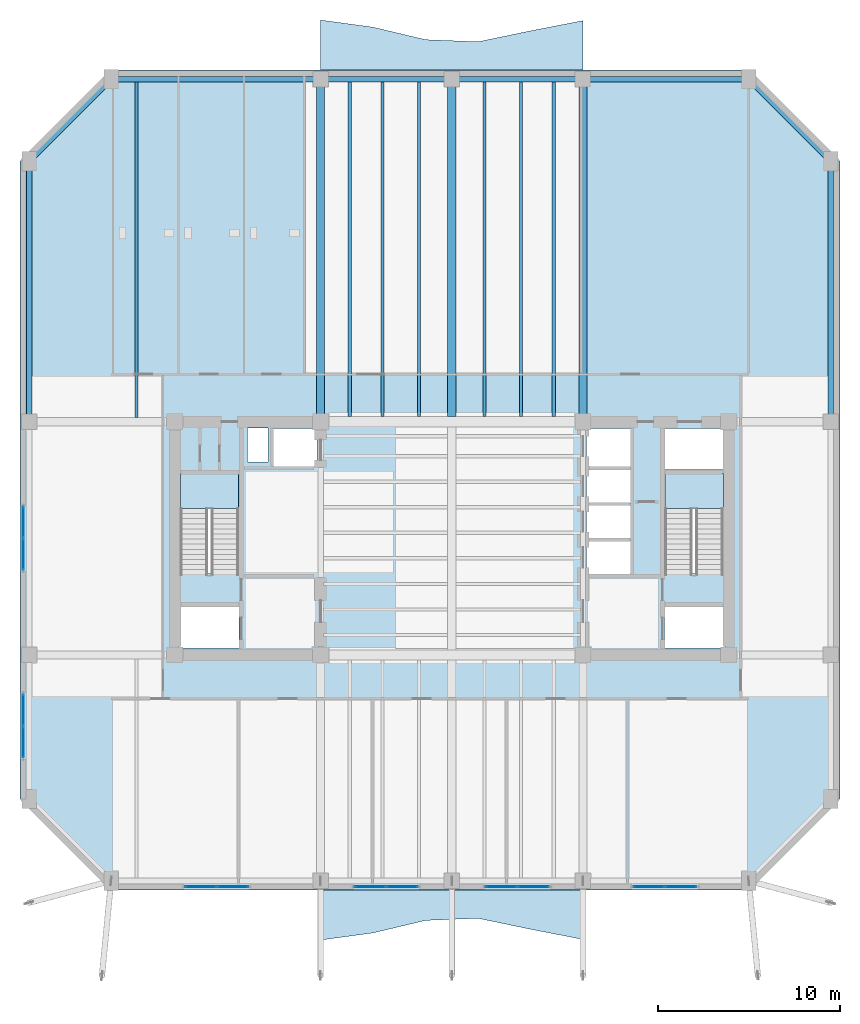
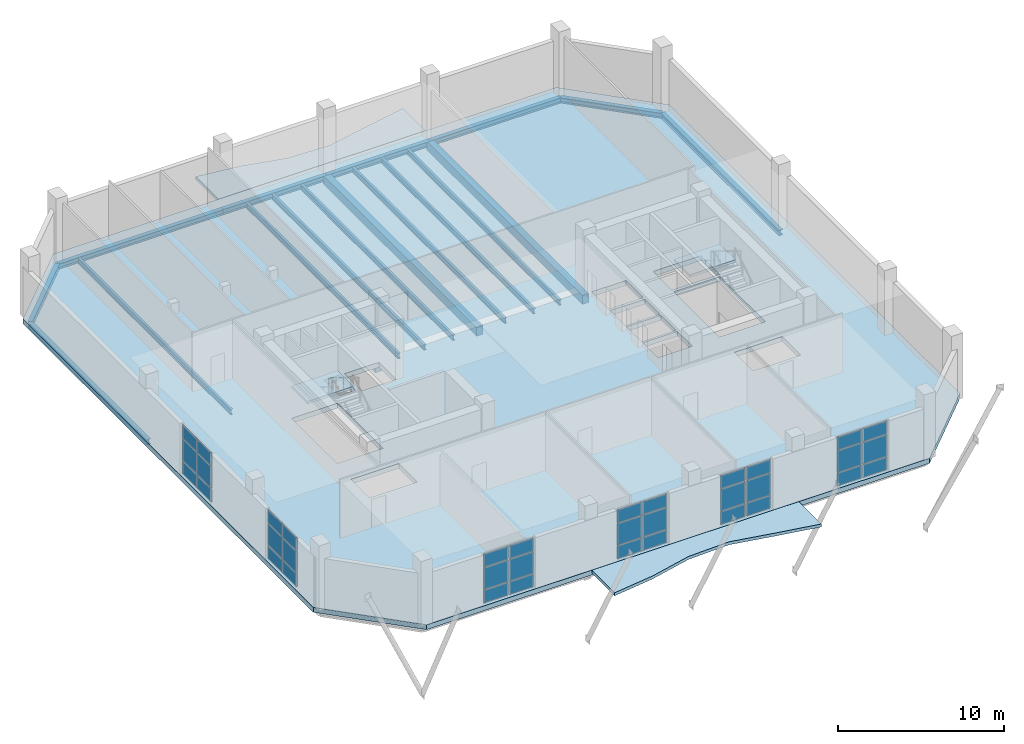
# One storey, part 5 of 15: 36 plates, 18 beams, 5 slabs, 8 elements without a shape of their own.
"""IFC4 building model written with IfcOpenShell, lengths in metres."""

from ifc_helpers import new_model, si_unit, direction, frame, origin, origin_2d, place, context, subcontext, project, spatial, polyline, rectangle, i_section, outline, extrude, material, layer, layer_set, material_profile, profile_set, type_object, element, aggregate, save


model = new_model("IFC4")

# Units and contexts
model_context = context("Model", 3, precision=1e-05, world=origin(), true_north=direction((0.0, 1.0)))
body_context = subcontext(model_context, "Body", "Model", "MODEL_VIEW")
ifc_project = project(units=[si_unit("LENGTHUNIT", "METRE"), si_unit("AREAUNIT", "SQUARE_METRE"), si_unit("VOLUMEUNIT", "CUBIC_METRE"), si_unit("PLANEANGLEUNIT", "RADIAN"), si_unit("MASSUNIT", "GRAM", prefix="KILO")], contexts=[model_context])

# Site, building, storey
site_placement = place(None, origin())
site = spatial("IfcSite", under=ifc_project, at=site_placement, CompositionType="ELEMENT")
building_placement = place(site_placement, origin())
building = spatial("IfcBuilding", under=site, at=building_placement, Name="Kranthara Brick Stack", CompositionType="ELEMENT")
storey_placement = place(building_placement, frame((0.0, 0.0, 202.699951171875)))
storey = spatial("IfcBuildingStorey", under=building, at=storey_placement, Name="L52", CompositionType="ELEMENT", Elevation=202.699951171875)

# Beams
ifc_material_1 = material(Name="Post-tensioned concrete C45/55", Category="concrete")
ifc_material_profile_1 = material_profile(ifc_material_1, rectangle(XDim=0.449951171875, YDim=0.64990234375, at=origin_2d()), Name="PT 450x650")
ifc_profile_set_1 = profile_set([ifc_material_profile_1], Name="Post-tensioned concrete C45/55")
beam_type_1 = type_object("IfcBeamType", Name="BM-FLR-PT650", PredefinedType="BEAM", material=ifc_profile_set_1)
beam_1_placement = place(storey_placement, frame((20.800048828125, 33.60009765625, -0.68505859375), z_axis=(0.0, 1.0, 0.0), x_axis=(-1.0, 0.0, 0.0)))
element("IfcBeam", 1, at=beam_1_placement, inside=storey, type_object=beam_type_1, Name="L52 Primary Grid Girder 024", PredefinedType="BEAM", context=body_context, shape_type="SweptSolid", body=[
    extrude(rectangle(XDim=0.449951171875, YDim=0.64990234375, at=origin_2d()), origin(), (0.0, 0.0, 1.0), 18.7998046875),
])
beam_2_placement = place(storey_placement, frame((28.0, 33.875, -0.68505859375), z_axis=(0.0, 1.0, 0.0), x_axis=(-1.0, 0.0, 0.0)))
element("IfcBeam", 2, at=beam_2_placement, inside=storey, type_object=beam_type_1, Name="L52 Primary Grid Girder 027", PredefinedType="BEAM", context=body_context, shape_type="SweptSolid", body=[
    extrude(rectangle(XDim=0.449951171875, YDim=0.64990234375, at=origin_2d()), origin(), (0.0, 0.0, 1.0), 18.52490234375),
])
beam_3_placement = place(storey_placement, frame((35.199951171875, 33.60009765625, -0.68505859375), z_axis=(0.0, 1.0, 0.0), x_axis=(-1.0, 0.0, 0.0)))
element("IfcBeam", 3, at=beam_3_placement, inside=storey, type_object=beam_type_1, Name="L52 Primary Grid Girder 029", PredefinedType="BEAM", context=body_context, shape_type="SweptSolid", body=[
    extrude(rectangle(XDim=0.449951171875, YDim=0.64990234375, at=origin_2d()), origin(), (0.0, 0.0, 1.0), 18.7998046875),
])
ifc_material_2 = material(Name="Steel S355", Category="steel")
ifc_material_profile_2 = material_profile(ifc_material_2, i_section(OverallWidth=0.179931640625, OverallDepth=0.39990234375, WebThickness=0.008544921875, FlangeThickness=0.013427734375, at=origin_2d()), Name="IPE 400")
ifc_profile_set_2 = profile_set([ifc_material_profile_2], Name="Steel S355")
beam_type_2 = type_object("IfcBeamType", Name="BM-JST-IPE400", PredefinedType="JOIST", material=ifc_profile_set_2)
beam_4_placement = place(storey_placement, frame((10.699951171875, 33.824951171875, -0.56005859375), z_axis=(0.0, 1.0, 0.0), x_axis=(-1.0, 0.0, 0.0)))
element("IfcBeam", 4, at=beam_4_placement, inside=storey, type_object=beam_type_2, Name="L52 North Wing Floor Joist 053", PredefinedType="JOIST", context=body_context, shape_type="SweptSolid", body=[
    extrude(i_section(OverallWidth=0.179931640625, OverallDepth=0.39990234375, WebThickness=0.008544921875, FlangeThickness=0.013427734375, at=origin_2d()), origin(), (0.0, 0.0, 1.0), 18.425048828125),
])
for number, where, z_axis, x_axis, name in (
    (5, (22.39990234375, 33.875, -0.56005859375), (0.0, 1.0, 0.0), (-1.0, 0.0, 0.0), "L52 North Wing Floor Joist 055"),
    (6, (24.199951171875, 33.875, -0.56005859375), (0.0, 1.0, 0.0), (-1.0, 0.0, 0.0), "L52 North Wing Floor Joist 057"),
    (7, (26.199951171875, 33.875, -0.56005859375), (0.0, 1.0, 0.0), (-1.0, 0.0, 0.0), "L52 North Wing Floor Joist 059"),
    (8, (29.800048828125, 33.875, -0.56005859375), (0.0, 1.0, 0.0), (-1.0, 0.0, 0.0), "L52 North Wing Floor Joist 061"),
    (9, (31.800048828125, 33.875, -0.56005859375), (0.0, 1.0, 0.0), (-1.0, 0.0, 0.0), "L52 North Wing Floor Joist 063"),
    (10, (33.60009765625, 33.875, -0.56005859375), (0.0, 1.0, 0.0), (-1.0, 0.0, 0.0), "L52 North Wing Floor Joist 065"),
):
    element("IfcBeam", number, at=place(storey_placement, frame(where, z_axis=z_axis, x_axis=x_axis)), inside=storey, type_object=beam_type_2, Name=name, PredefinedType="JOIST", context=body_context, shape_type="SweptSolid", body=[
        extrude(i_section(OverallWidth=0.179931640625, OverallDepth=0.39990234375, WebThickness=0.008544921875, FlangeThickness=0.013427734375, at=origin_2d()), origin(), (0.0, 0.0, 1.0), 18.375),
    ])
ifc_material_3 = material(Name="Steel S355", Category="steel")
ifc_material_profile_3 = material_profile(ifc_material_3, i_section(OverallWidth=0.300048828125, OverallDepth=0.39990234375, WebThickness=0.013427734375, FlangeThickness=0.02392578125, at=origin_2d()), Name="HEB 400")
ifc_profile_set_3 = profile_set([ifc_material_profile_3], Name="Steel S355")
beam_type_3 = type_object("IfcBeamType", Name="BM-STL-HEB400", PredefinedType="SPANDREL", material=ifc_profile_set_3)
beam_5_placement = place(storey_placement, frame((9.300048828125, 52.39990234375, -0.56005859375), z_axis=(1.0, 0.0, 0.0), x_axis=(0.0, 1.0, 0.0)))
element("IfcBeam", 11, at=beam_5_placement, inside=storey, type_object=beam_type_3, Name="L52 Perimeter Spandrel Beam 009", PredefinedType="SPANDREL", context=body_context, shape_type="SweptSolid", body=[
    extrude(i_section(OverallWidth=0.300048828125, OverallDepth=0.39990234375, WebThickness=0.013427734375, FlangeThickness=0.02392578125, at=origin_2d()), origin(), (0.0, 0.0, 1.0), 11.5),
])
for number, where, z_axis, x_axis, name in (
    (12, (20.800048828125, 52.39990234375, -0.56005859375), (1.0, 0.0, 0.0), (0.0, 1.0, 0.0), "L52 Perimeter Spandrel Beam 010"),
    (13, (28.0, 52.39990234375, -0.56005859375), (1.0, 0.0, 0.0), (0.0, 1.0, 0.0), "L52 Perimeter Spandrel Beam 011"),
):
    element("IfcBeam", number, at=place(storey_placement, frame(where, z_axis=z_axis, x_axis=x_axis)), inside=storey, type_object=beam_type_3, Name=name, PredefinedType="SPANDREL", context=body_context, shape_type="SweptSolid", body=[
        extrude(i_section(OverallWidth=0.300048828125, OverallDepth=0.39990234375, WebThickness=0.013427734375, FlangeThickness=0.02392578125, at=origin_2d()), origin(), (0.0, 0.0, 1.0), 7.199951171875),
    ])
beam_6_placement = place(storey_placement, frame((35.199951171875, 52.39990234375, -0.56005859375), z_axis=(1.0, 0.0, 0.0), x_axis=(0.0, 1.0, 0.0)))
element("IfcBeam", 14, at=beam_6_placement, inside=storey, type_object=beam_type_3, Name="L52 Perimeter Spandrel Beam 012", PredefinedType="SPANDREL", context=body_context, shape_type="SweptSolid", body=[
    extrude(i_section(OverallWidth=0.300048828125, OverallDepth=0.39990234375, WebThickness=0.013427734375, FlangeThickness=0.02392578125, at=origin_2d()), origin(), (0.0, 0.0, 1.0), 9.10009765625),
])
for number, where, z_axis, x_axis, name in (
    (15, (4.800048828125, 33.60009765625, -0.56005859375), (0.0, 1.0, 0.0), (-1.0, 0.0, 0.0), "L52 Perimeter Spandrel Beam 015"),
    (16, (48.800048828125, 33.60009765625, -0.56005859375), (0.0, 1.0, 0.0), (-1.0, 0.0, 0.0), "L52 Perimeter Spandrel Beam 018"),
):
    element("IfcBeam", number, at=place(storey_placement, frame(where, z_axis=z_axis, x_axis=x_axis)), inside=storey, type_object=beam_type_3, Name=name, PredefinedType="SPANDREL", context=body_context, shape_type="SweptSolid", body=[
        extrude(i_section(OverallWidth=0.300048828125, OverallDepth=0.39990234375, WebThickness=0.013427734375, FlangeThickness=0.02392578125, at=origin_2d()), origin(), (0.0, 0.0, 1.0), 14.2998046875),
    ])
for number, where, z_axis, x_axis, name in (
    (17, (9.300048828125, 52.39990234375, -0.56005859375), (-0.707106781187, -0.707106781187, 0.0), (0.707106781187, -0.707106781187, 0.0), "L52 Chamfer Corner Spandrel 021"),
    (18, (44.300048828125, 52.39990234375, -0.56005859375), (0.707106781187, -0.707106781187, 0.0), (0.707106781187, 0.707106781187, 0.0), "L52 Chamfer Corner Spandrel 022"),
):
    element("IfcBeam", number, at=place(storey_placement, frame(where, z_axis=z_axis, x_axis=x_axis)), inside=storey, type_object=beam_type_3, Name=name, PredefinedType="SPANDREL", context=body_context, shape_type="SweptSolid", body=[
        extrude(i_section(OverallWidth=0.300048828125, OverallDepth=0.39990234375, WebThickness=0.013427734375, FlangeThickness=0.02392578125, at=origin_2d()), origin(), (0.0, 0.0, 1.0), 6.364013671875),
    ])

# Curtain wall, plates
ifc_material_4 = material(Name="Bronze anodised aluminium and low-E glass", Category="aluminium")
ifc_layer_1 = layer(ifc_material_4, 0.199951171875)
ifc_layer_set_1 = layer_set([ifc_layer_1], Name="Bronze anodised aluminium and low-E glass")
curtain_wall_type = type_object("IfcCurtainWallType", Name="CW-SYS4-SKYLOBBY2", PredefinedType="USERDEFINED", material=ifc_layer_set_1)
curtain_wall_1_placement = place(storey_placement, origin())
curtain_wall_1 = element("IfcCurtainWall", 19, at=curtain_wall_1_placement, inside=storey, type_object=curtain_wall_type, Name="L52 Curtain Wall CW4-L52-01", ObjectType="UNITISED CURTAIN WALL", PredefinedType="USERDEFINED")
ifc_material_5 = material(Name="Triple-laminated acoustic low-E glass", Category="glass")
ifc_layer_2 = layer(ifc_material_5, 0.035888671875)
ifc_layer_set_2 = layer_set([ifc_layer_2], Name="Triple-laminated acoustic low-E glass")
plate_type = type_object("IfcPlateType", Name="CWP-GLZ-36", PredefinedType="CURTAIN_PANEL", material=ifc_layer_set_2)
plate_1_placement = place(storey_placement, frame((40.581298828125, 8.080078125, 0.0751953125), z_axis=(0.0, 0.0, 1.0), x_axis=(-1.0, 0.0, 0.0)))
plate_1 = element("IfcPlate", 20, at=plate_1_placement, type_object=plate_type, Name="CW panel 1.1", PredefinedType="CURTAIN_PANEL", context=body_context, shape_type="SweptSolid", body=[
    extrude(rectangle(XDim=1.6875, YDim=0.035888671875, at=origin_2d()), origin(), (0.0, 0.0, 1.0), 0.933349609375),
])
plate_2_placement = place(storey_placement, frame((40.581298828125, 8.080078125, 1.083251953125), z_axis=(0.0, 0.0, 1.0), x_axis=(-1.0, 0.0, 0.0)))
plate_2 = element("IfcPlate", 21, at=plate_2_placement, type_object=plate_type, Name="CW panel 1.2", PredefinedType="CURTAIN_PANEL", context=body_context, shape_type="SweptSolid", body=[
    extrude(rectangle(XDim=1.6875, YDim=0.035888671875, at=origin_2d()), origin(), (0.0, 0.0, 1.0), 1.568359375),
])
plate_3_placement = place(storey_placement, frame((40.581298828125, 8.080078125, 2.7265625), z_axis=(0.0, 0.0, 1.0), x_axis=(-1.0, 0.0, 0.0)))
plate_3 = element("IfcPlate", 22, at=plate_3_placement, type_object=plate_type, Name="CW panel 1.3", PredefinedType="CURTAIN_PANEL", context=body_context, shape_type="SweptSolid", body=[
    extrude(rectangle(XDim=1.6875, YDim=0.035888671875, at=origin_2d()), origin(), (0.0, 0.0, 1.0), 0.933349609375),
])
plate_4_placement = place(storey_placement, frame((38.81884765625, 8.080078125, 0.0751953125), z_axis=(0.0, 0.0, 1.0), x_axis=(-1.0, 0.0, 0.0)))
plate_4 = element("IfcPlate", 23, at=plate_4_placement, type_object=plate_type, Name="CW panel 2.1", PredefinedType="CURTAIN_PANEL", context=body_context, shape_type="SweptSolid", body=[
    extrude(rectangle(XDim=1.6875, YDim=0.035888671875, at=origin_2d()), origin(), (0.0, 0.0, 1.0), 0.933349609375),
])
plate_5_placement = place(storey_placement, frame((38.81884765625, 8.080078125, 1.083251953125), z_axis=(0.0, 0.0, 1.0), x_axis=(-1.0, 0.0, 0.0)))
plate_5 = element("IfcPlate", 24, at=plate_5_placement, type_object=plate_type, Name="CW panel 2.2", PredefinedType="CURTAIN_PANEL", context=body_context, shape_type="SweptSolid", body=[
    extrude(rectangle(XDim=1.6875, YDim=0.035888671875, at=origin_2d()), origin(), (0.0, 0.0, 1.0), 1.568359375),
])
plate_6_placement = place(storey_placement, frame((38.81884765625, 8.080078125, 2.7265625), z_axis=(0.0, 0.0, 1.0), x_axis=(-1.0, 0.0, 0.0)))
plate_6 = element("IfcPlate", 25, at=plate_6_placement, type_object=plate_type, Name="CW panel 2.3", PredefinedType="CURTAIN_PANEL", context=body_context, shape_type="SweptSolid", body=[
    extrude(rectangle(XDim=1.6875, YDim=0.035888671875, at=origin_2d()), origin(), (0.0, 0.0, 1.0), 0.933349609375),
])
aggregate(curtain_wall_1, [plate_1, plate_2, plate_3, plate_4, plate_5, plate_6])

curtain_wall_2_placement = place(storey_placement, origin())
curtain_wall_2 = element("IfcCurtainWall", 26, at=curtain_wall_2_placement, inside=storey, type_object=curtain_wall_type, Name="L52 Curtain Wall CW4-L52-02", ObjectType="UNITISED CURTAIN WALL", PredefinedType="USERDEFINED")
plate_7_placement = place(storey_placement, frame((32.481201171875, 8.080078125, 0.0751953125), z_axis=(0.0, 0.0, 1.0), x_axis=(-1.0, 0.0, 0.0)))
plate_7 = element("IfcPlate", 27, at=plate_7_placement, type_object=plate_type, Name="CW panel 1.1", PredefinedType="CURTAIN_PANEL", context=body_context, shape_type="SweptSolid", body=[
    extrude(rectangle(XDim=1.6875, YDim=0.035888671875, at=origin_2d()), origin(), (0.0, 0.0, 1.0), 0.933349609375),
])
plate_8_placement = place(storey_placement, frame((32.481201171875, 8.080078125, 1.083251953125), z_axis=(0.0, 0.0, 1.0), x_axis=(-1.0, 0.0, 0.0)))
plate_8 = element("IfcPlate", 28, at=plate_8_placement, type_object=plate_type, Name="CW panel 1.2", PredefinedType="CURTAIN_PANEL", context=body_context, shape_type="SweptSolid", body=[
    extrude(rectangle(XDim=1.6875, YDim=0.035888671875, at=origin_2d()), origin(), (0.0, 0.0, 1.0), 1.568359375),
])
plate_9_placement = place(storey_placement, frame((32.481201171875, 8.080078125, 2.7265625), z_axis=(0.0, 0.0, 1.0), x_axis=(-1.0, 0.0, 0.0)))
plate_9 = element("IfcPlate", 29, at=plate_9_placement, type_object=plate_type, Name="CW panel 1.3", PredefinedType="CURTAIN_PANEL", context=body_context, shape_type="SweptSolid", body=[
    extrude(rectangle(XDim=1.6875, YDim=0.035888671875, at=origin_2d()), origin(), (0.0, 0.0, 1.0), 0.933349609375),
])
plate_10_placement = place(storey_placement, frame((30.71875, 8.080078125, 0.0751953125), z_axis=(0.0, 0.0, 1.0), x_axis=(-1.0, 0.0, 0.0)))
plate_10 = element("IfcPlate", 30, at=plate_10_placement, type_object=plate_type, Name="CW panel 2.1", PredefinedType="CURTAIN_PANEL", context=body_context, shape_type="SweptSolid", body=[
    extrude(rectangle(XDim=1.6875, YDim=0.035888671875, at=origin_2d()), origin(), (0.0, 0.0, 1.0), 0.933349609375),
])
plate_11_placement = place(storey_placement, frame((30.71875, 8.080078125, 1.083251953125), z_axis=(0.0, 0.0, 1.0), x_axis=(-1.0, 0.0, 0.0)))
plate_11 = element("IfcPlate", 31, at=plate_11_placement, type_object=plate_type, Name="CW panel 2.2", PredefinedType="CURTAIN_PANEL", context=body_context, shape_type="SweptSolid", body=[
    extrude(rectangle(XDim=1.6875, YDim=0.035888671875, at=origin_2d()), origin(), (0.0, 0.0, 1.0), 1.568359375),
])
plate_12_placement = place(storey_placement, frame((30.71875, 8.080078125, 2.7265625), z_axis=(0.0, 0.0, 1.0), x_axis=(-1.0, 0.0, 0.0)))
plate_12 = element("IfcPlate", 32, at=plate_12_placement, type_object=plate_type, Name="CW panel 2.3", PredefinedType="CURTAIN_PANEL", context=body_context, shape_type="SweptSolid", body=[
    extrude(rectangle(XDim=1.6875, YDim=0.035888671875, at=origin_2d()), origin(), (0.0, 0.0, 1.0), 0.933349609375),
])
aggregate(curtain_wall_2, [plate_7, plate_8, plate_9, plate_10, plate_11, plate_12])

curtain_wall_3_placement = place(storey_placement, origin())
curtain_wall_3 = element("IfcCurtainWall", 33, at=curtain_wall_3_placement, inside=storey, type_object=curtain_wall_type, Name="L52 Curtain Wall CW4-L52-03", ObjectType="UNITISED CURTAIN WALL", PredefinedType="USERDEFINED")
plate_13_placement = place(storey_placement, frame((25.28125, 8.080078125, 0.0751953125), z_axis=(0.0, 0.0, 1.0), x_axis=(-1.0, 0.0, 0.0)))
plate_13 = element("IfcPlate", 34, at=plate_13_placement, type_object=plate_type, Name="CW panel 1.1", PredefinedType="CURTAIN_PANEL", context=body_context, shape_type="SweptSolid", body=[
    extrude(rectangle(XDim=1.6875, YDim=0.035888671875, at=origin_2d()), origin(), (0.0, 0.0, 1.0), 0.933349609375),
])
plate_14_placement = place(storey_placement, frame((25.28125, 8.080078125, 1.083251953125), z_axis=(0.0, 0.0, 1.0), x_axis=(-1.0, 0.0, 0.0)))
plate_14 = element("IfcPlate", 35, at=plate_14_placement, type_object=plate_type, Name="CW panel 1.2", PredefinedType="CURTAIN_PANEL", context=body_context, shape_type="SweptSolid", body=[
    extrude(rectangle(XDim=1.6875, YDim=0.035888671875, at=origin_2d()), origin(), (0.0, 0.0, 1.0), 1.568359375),
])
plate_15_placement = place(storey_placement, frame((25.28125, 8.080078125, 2.7265625), z_axis=(0.0, 0.0, 1.0), x_axis=(-1.0, 0.0, 0.0)))
plate_15 = element("IfcPlate", 36, at=plate_15_placement, type_object=plate_type, Name="CW panel 1.3", PredefinedType="CURTAIN_PANEL", context=body_context, shape_type="SweptSolid", body=[
    extrude(rectangle(XDim=1.6875, YDim=0.035888671875, at=origin_2d()), origin(), (0.0, 0.0, 1.0), 0.933349609375),
])
plate_16_placement = place(storey_placement, frame((23.518798828125, 8.080078125, 0.0751953125), z_axis=(0.0, 0.0, 1.0), x_axis=(-1.0, 0.0, 0.0)))
plate_16 = element("IfcPlate", 37, at=plate_16_placement, type_object=plate_type, Name="CW panel 2.1", PredefinedType="CURTAIN_PANEL", context=body_context, shape_type="SweptSolid", body=[
    extrude(rectangle(XDim=1.6875, YDim=0.035888671875, at=origin_2d()), origin(), (0.0, 0.0, 1.0), 0.933349609375),
])
plate_17_placement = place(storey_placement, frame((23.518798828125, 8.080078125, 1.083251953125), z_axis=(0.0, 0.0, 1.0), x_axis=(-1.0, 0.0, 0.0)))
plate_17 = element("IfcPlate", 38, at=plate_17_placement, type_object=plate_type, Name="CW panel 2.2", PredefinedType="CURTAIN_PANEL", context=body_context, shape_type="SweptSolid", body=[
    extrude(rectangle(XDim=1.6875, YDim=0.035888671875, at=origin_2d()), origin(), (0.0, 0.0, 1.0), 1.568359375),
])
plate_18_placement = place(storey_placement, frame((23.518798828125, 8.080078125, 2.7265625), z_axis=(0.0, 0.0, 1.0), x_axis=(-1.0, 0.0, 0.0)))
plate_18 = element("IfcPlate", 39, at=plate_18_placement, type_object=plate_type, Name="CW panel 2.3", PredefinedType="CURTAIN_PANEL", context=body_context, shape_type="SweptSolid", body=[
    extrude(rectangle(XDim=1.6875, YDim=0.035888671875, at=origin_2d()), origin(), (0.0, 0.0, 1.0), 0.933349609375),
])
aggregate(curtain_wall_3, [plate_13, plate_14, plate_15, plate_16, plate_17, plate_18])

curtain_wall_4_placement = place(storey_placement, origin())
curtain_wall_4 = element("IfcCurtainWall", 40, at=curtain_wall_4_placement, inside=storey, type_object=curtain_wall_type, Name="L52 Curtain Wall CW4-L52-04", ObjectType="UNITISED CURTAIN WALL", PredefinedType="USERDEFINED")
plate_19_placement = place(storey_placement, frame((15.981201171875, 8.080078125, 0.0751953125), z_axis=(0.0, 0.0, 1.0), x_axis=(-1.0, 0.0, 0.0)))
plate_19 = element("IfcPlate", 41, at=plate_19_placement, type_object=plate_type, Name="CW panel 1.1", PredefinedType="CURTAIN_PANEL", context=body_context, shape_type="SweptSolid", body=[
    extrude(rectangle(XDim=1.6875, YDim=0.035888671875, at=origin_2d()), origin(), (0.0, 0.0, 1.0), 0.933349609375),
])
plate_20_placement = place(storey_placement, frame((15.981201171875, 8.080078125, 1.083251953125), z_axis=(0.0, 0.0, 1.0), x_axis=(-1.0, 0.0, 0.0)))
plate_20 = element("IfcPlate", 42, at=plate_20_placement, type_object=plate_type, Name="CW panel 1.2", PredefinedType="CURTAIN_PANEL", context=body_context, shape_type="SweptSolid", body=[
    extrude(rectangle(XDim=1.6875, YDim=0.035888671875, at=origin_2d()), origin(), (0.0, 0.0, 1.0), 1.568359375),
])
plate_21_placement = place(storey_placement, frame((15.981201171875, 8.080078125, 2.7265625), z_axis=(0.0, 0.0, 1.0), x_axis=(-1.0, 0.0, 0.0)))
plate_21 = element("IfcPlate", 43, at=plate_21_placement, type_object=plate_type, Name="CW panel 1.3", PredefinedType="CURTAIN_PANEL", context=body_context, shape_type="SweptSolid", body=[
    extrude(rectangle(XDim=1.6875, YDim=0.035888671875, at=origin_2d()), origin(), (0.0, 0.0, 1.0), 0.933349609375),
])
plate_22_placement = place(storey_placement, frame((14.21875, 8.080078125, 0.0751953125), z_axis=(0.0, 0.0, 1.0), x_axis=(-1.0, 0.0, 0.0)))
plate_22 = element("IfcPlate", 44, at=plate_22_placement, type_object=plate_type, Name="CW panel 2.1", PredefinedType="CURTAIN_PANEL", context=body_context, shape_type="SweptSolid", body=[
    extrude(rectangle(XDim=1.6875, YDim=0.035888671875, at=origin_2d()), origin(), (0.0, 0.0, 1.0), 0.933349609375),
])
plate_23_placement = place(storey_placement, frame((14.21875, 8.080078125, 1.083251953125), z_axis=(0.0, 0.0, 1.0), x_axis=(-1.0, 0.0, 0.0)))
plate_23 = element("IfcPlate", 45, at=plate_23_placement, type_object=plate_type, Name="CW panel 2.2", PredefinedType="CURTAIN_PANEL", context=body_context, shape_type="SweptSolid", body=[
    extrude(rectangle(XDim=1.6875, YDim=0.035888671875, at=origin_2d()), origin(), (0.0, 0.0, 1.0), 1.568359375),
])
plate_24_placement = place(storey_placement, frame((14.21875, 8.080078125, 2.7265625), z_axis=(0.0, 0.0, 1.0), x_axis=(-1.0, 0.0, 0.0)))
plate_24 = element("IfcPlate", 46, at=plate_24_placement, type_object=plate_type, Name="CW panel 2.3", PredefinedType="CURTAIN_PANEL", context=body_context, shape_type="SweptSolid", body=[
    extrude(rectangle(XDim=1.6875, YDim=0.035888671875, at=origin_2d()), origin(), (0.0, 0.0, 1.0), 0.933349609375),
])
aggregate(curtain_wall_4, [plate_19, plate_20, plate_21, plate_22, plate_23, plate_24])

curtain_wall_5_placement = place(storey_placement, origin())
curtain_wall_5 = element("IfcCurtainWall", 47, at=curtain_wall_5_placement, inside=storey, type_object=curtain_wall_type, Name="L52 Curtain Wall CW4-L52-05", ObjectType="UNITISED CURTAIN WALL", PredefinedType="USERDEFINED")
plate_25_placement = place(storey_placement, frame((4.47998046875, 16.018798828125, 0.0751953125), z_axis=(0.0, 0.0, 1.0), x_axis=(0.0, 1.0, 0.0)))
plate_25 = element("IfcPlate", 48, at=plate_25_placement, type_object=plate_type, Name="CW panel 1.1", PredefinedType="CURTAIN_PANEL", context=body_context, shape_type="SweptSolid", body=[
    extrude(rectangle(XDim=1.6875, YDim=0.035888671875, at=origin_2d()), origin(), (0.0, 0.0, 1.0), 0.933349609375),
])
plate_26_placement = place(storey_placement, frame((4.47998046875, 16.018798828125, 1.083251953125), z_axis=(0.0, 0.0, 1.0), x_axis=(0.0, 1.0, 0.0)))
plate_26 = element("IfcPlate", 49, at=plate_26_placement, type_object=plate_type, Name="CW panel 1.2", PredefinedType="CURTAIN_PANEL", context=body_context, shape_type="SweptSolid", body=[
    extrude(rectangle(XDim=1.6875, YDim=0.035888671875, at=origin_2d()), origin(), (0.0, 0.0, 1.0), 1.568359375),
])
plate_27_placement = place(storey_placement, frame((4.47998046875, 16.018798828125, 2.7265625), z_axis=(0.0, 0.0, 1.0), x_axis=(0.0, 1.0, 0.0)))
plate_27 = element("IfcPlate", 50, at=plate_27_placement, type_object=plate_type, Name="CW panel 1.3", PredefinedType="CURTAIN_PANEL", context=body_context, shape_type="SweptSolid", body=[
    extrude(rectangle(XDim=1.6875, YDim=0.035888671875, at=origin_2d()), origin(), (0.0, 0.0, 1.0), 0.933349609375),
])
plate_28_placement = place(storey_placement, frame((4.47998046875, 17.78125, 0.0751953125), z_axis=(0.0, 0.0, 1.0), x_axis=(0.0, 1.0, 0.0)))
plate_28 = element("IfcPlate", 51, at=plate_28_placement, type_object=plate_type, Name="CW panel 2.1", PredefinedType="CURTAIN_PANEL", context=body_context, shape_type="SweptSolid", body=[
    extrude(rectangle(XDim=1.6875, YDim=0.035888671875, at=origin_2d()), origin(), (0.0, 0.0, 1.0), 0.933349609375),
])
plate_29_placement = place(storey_placement, frame((4.47998046875, 17.78125, 1.083251953125), z_axis=(0.0, 0.0, 1.0), x_axis=(0.0, 1.0, 0.0)))
plate_29 = element("IfcPlate", 52, at=plate_29_placement, type_object=plate_type, Name="CW panel 2.2", PredefinedType="CURTAIN_PANEL", context=body_context, shape_type="SweptSolid", body=[
    extrude(rectangle(XDim=1.6875, YDim=0.035888671875, at=origin_2d()), origin(), (0.0, 0.0, 1.0), 1.568359375),
])
plate_30_placement = place(storey_placement, frame((4.47998046875, 17.78125, 2.7265625), z_axis=(0.0, 0.0, 1.0), x_axis=(0.0, 1.0, 0.0)))
plate_30 = element("IfcPlate", 53, at=plate_30_placement, type_object=plate_type, Name="CW panel 2.3", PredefinedType="CURTAIN_PANEL", context=body_context, shape_type="SweptSolid", body=[
    extrude(rectangle(XDim=1.6875, YDim=0.035888671875, at=origin_2d()), origin(), (0.0, 0.0, 1.0), 0.933349609375),
])
aggregate(curtain_wall_5, [plate_25, plate_26, plate_27, plate_28, plate_29, plate_30])

curtain_wall_6_placement = place(storey_placement, origin())
curtain_wall_6 = element("IfcCurtainWall", 54, at=curtain_wall_6_placement, inside=storey, type_object=curtain_wall_type, Name="L52 Curtain Wall CW4-L52-06", ObjectType="UNITISED CURTAIN WALL", PredefinedType="USERDEFINED")
plate_31_placement = place(storey_placement, frame((4.47998046875, 26.31884765625, 0.0751953125), z_axis=(0.0, 0.0, 1.0), x_axis=(0.0, 1.0, 0.0)))
plate_31 = element("IfcPlate", 55, at=plate_31_placement, type_object=plate_type, Name="CW panel 1.1", PredefinedType="CURTAIN_PANEL", context=body_context, shape_type="SweptSolid", body=[
    extrude(rectangle(XDim=1.6875, YDim=0.035888671875, at=origin_2d()), origin(), (0.0, 0.0, 1.0), 0.933349609375),
])
plate_32_placement = place(storey_placement, frame((4.47998046875, 26.31884765625, 1.083251953125), z_axis=(0.0, 0.0, 1.0), x_axis=(0.0, 1.0, 0.0)))
plate_32 = element("IfcPlate", 56, at=plate_32_placement, type_object=plate_type, Name="CW panel 1.2", PredefinedType="CURTAIN_PANEL", context=body_context, shape_type="SweptSolid", body=[
    extrude(rectangle(XDim=1.6875, YDim=0.035888671875, at=origin_2d()), origin(), (0.0, 0.0, 1.0), 1.568359375),
])
plate_33_placement = place(storey_placement, frame((4.47998046875, 26.31884765625, 2.7265625), z_axis=(0.0, 0.0, 1.0), x_axis=(0.0, 1.0, 0.0)))
plate_33 = element("IfcPlate", 57, at=plate_33_placement, type_object=plate_type, Name="CW panel 1.3", PredefinedType="CURTAIN_PANEL", context=body_context, shape_type="SweptSolid", body=[
    extrude(rectangle(XDim=1.6875, YDim=0.035888671875, at=origin_2d()), origin(), (0.0, 0.0, 1.0), 0.933349609375),
])
plate_34_placement = place(storey_placement, frame((4.47998046875, 28.081298828125, 0.0751953125), z_axis=(0.0, 0.0, 1.0), x_axis=(0.0, 1.0, 0.0)))
plate_34 = element("IfcPlate", 58, at=plate_34_placement, type_object=plate_type, Name="CW panel 2.1", PredefinedType="CURTAIN_PANEL", context=body_context, shape_type="SweptSolid", body=[
    extrude(rectangle(XDim=1.6875, YDim=0.035888671875, at=origin_2d()), origin(), (0.0, 0.0, 1.0), 0.933349609375),
])
plate_35_placement = place(storey_placement, frame((4.47998046875, 28.081298828125, 1.083251953125), z_axis=(0.0, 0.0, 1.0), x_axis=(0.0, 1.0, 0.0)))
plate_35 = element("IfcPlate", 59, at=plate_35_placement, type_object=plate_type, Name="CW panel 2.2", PredefinedType="CURTAIN_PANEL", context=body_context, shape_type="SweptSolid", body=[
    extrude(rectangle(XDim=1.6875, YDim=0.035888671875, at=origin_2d()), origin(), (0.0, 0.0, 1.0), 1.568359375),
])
plate_36_placement = place(storey_placement, frame((4.47998046875, 28.081298828125, 2.7265625), z_axis=(0.0, 0.0, 1.0), x_axis=(0.0, 1.0, 0.0)))
plate_36 = element("IfcPlate", 60, at=plate_36_placement, type_object=plate_type, Name="CW panel 2.3", PredefinedType="CURTAIN_PANEL", context=body_context, shape_type="SweptSolid", body=[
    extrude(rectangle(XDim=1.6875, YDim=0.035888671875, at=origin_2d()), origin(), (0.0, 0.0, 1.0), 0.933349609375),
])
aggregate(curtain_wall_6, [plate_31, plate_32, plate_33, plate_34, plate_35, plate_36])

# Slabs
ifc_material_6 = material(Name="Concrete C45/55", Category="concrete")
ifc_layer_3 = layer(ifc_material_6, 0.219970703125)
ifc_layer_set_3 = layer_set([ifc_layer_3], Name="Concrete C45/55")
slab_type_1 = type_object("IfcSlabType", Name="SLB-BALC-220", PredefinedType="FLOOR", material=ifc_layer_set_3)
slab_1_placement = place(storey_placement, frame((0.0, 0.0, -0.219970703125)))
element("IfcSlab", 61, at=slab_1_placement, inside=storey, type_object=slab_type_1, Name="L52 South Rippling Balcony Slab", PredefinedType="FLOOR", context=body_context, shape_type="SweptSolid", body=[
    extrude(outline(polyline([(20.800048828125, 7.89990234375), (35.199951171875, 7.89990234375), (35.199951171875, 5.183837890625), (32.320068359375, 5.743896484375), (29.43994140625, 6.343017578125), (26.56005859375, 6.227783203125), (23.679931640625, 5.54296875), (20.800048828125, 5.14990234375), (20.800048828125, 7.89990234375)])), origin(), (0.0, 0.0, 1.0), 0.219970703125),
])
slab_2_placement = place(storey_placement, frame((0.0, 0.0, -0.219970703125)))
element("IfcSlab", 62, at=slab_2_placement, inside=storey, type_object=slab_type_1, Name="L52 North Rippling Balcony Slab", PredefinedType="FLOOR", context=body_context, shape_type="SweptSolid", body=[
    extrude(outline(polyline([(35.199951171875, 52.89990234375), (20.800048828125, 52.89990234375), (20.800048828125, 55.64990234375), (23.679931640625, 55.257080078125), (26.56005859375, 54.572265625), (29.43994140625, 54.456787109375), (32.320068359375, 55.055908203125), (35.199951171875, 55.6162109375), (35.199951171875, 52.89990234375)])), origin(), (0.0, 0.0, 1.0), 0.219970703125),
])

# Stair, slab
ifc_material_7 = material(Name="Concrete C45/55", Category="concrete")
stair_type = type_object("IfcStairType", Name="ST-CORE-28R", PredefinedType="HALF_TURN_STAIR", material=ifc_material_7)
stair_1_placement = place(storey_placement, origin())
stair_1 = element("IfcStair", 63, at=stair_1_placement, inside=storey, type_object=stair_type, Name="L52 West Core Protected Exit Stair ST01", PredefinedType="HALF_TURN_STAIR")
ifc_material_8 = material(Name="Concrete C45/55", Category="concrete")
ifc_layer_4 = layer(ifc_material_8, 0.199951171875)
ifc_layer_set_4 = layer_set([ifc_layer_4], Name="Concrete C45/55")
slab_type_2 = type_object("IfcSlabType", Name="SLB-LANDING-200", PredefinedType="LANDING", material=ifc_layer_set_4)
slab_3_placement = place(storey_placement, frame((0.0, 0.0, 2.199951171875)))
slab_3 = element("IfcSlab", 64, at=slab_3_placement, type_object=slab_type_2, Name="ST01 landing 1", PredefinedType="LANDING", context=body_context, shape_type="SweptSolid", body=[
    extrude(outline(polyline([(16.300048828125, 28.840087890625), (16.300048828125, 30.75), (13.10009765625, 30.75), (13.10009765625, 28.840087890625), (16.300048828125, 28.840087890625)])), origin(), (0.0, 0.0, 1.0), 0.2001953125),
])
aggregate(stair_1, [slab_3])

stair_2_placement = place(storey_placement, origin())
stair_2 = element("IfcStair", 65, at=stair_2_placement, inside=storey, type_object=stair_type, Name="L52 East Core Protected Exit Stair ST02", PredefinedType="HALF_TURN_STAIR")
slab_4_placement = place(storey_placement, frame((0.0, 0.0, 2.199951171875)))
slab_4 = element("IfcSlab", 66, at=slab_4_placement, type_object=slab_type_2, Name="ST02 landing 1", PredefinedType="LANDING", context=body_context, shape_type="SweptSolid", body=[
    extrude(outline(polyline([(42.89990234375, 28.840087890625), (42.89990234375, 30.75), (39.699951171875, 30.75), (39.699951171875, 28.840087890625), (42.89990234375, 28.840087890625)])), origin(), (0.0, 0.0, 1.0), 0.2001953125),
])
aggregate(stair_2, [slab_4])

# Slab
ifc_material_9 = material(Name="Post-tensioned concrete C45/55", Category="concrete")
ifc_layer_5 = layer(ifc_material_9, 0.360107421875)
ifc_layer_set_5 = layer_set([ifc_layer_5], Name="Post-tensioned concrete C45/55")
slab_type_3 = type_object("IfcSlabType", Name="SLB-SKY-360", PredefinedType="FLOOR", material=ifc_layer_set_5)
slab_5_placement = place(storey_placement, frame((0.0, 0.0, -0.35986328125)))
element("IfcSlab", 67, at=slab_5_placement, inside=storey, type_object=slab_type_3, Name="L52 Structural Floor Plate", PredefinedType="FLOOR", context=body_context, shape_type="SweptSolid", body=[
    extrude(outline(polyline([(9.300048828125, 7.89990234375), (44.300048828125, 7.89990234375), (49.300048828125, 12.89990234375), (49.300048828125, 47.89990234375), (44.300048828125, 52.89990234375), (9.300048828125, 52.89990234375), (4.300048828125, 47.89990234375), (4.300048828125, 12.89990234375), (9.300048828125, 7.89990234375)]), holes=[polyline([(13.10009765625, 25.280029296875), (16.300048828125, 25.280029296875), (16.300048828125, 30.75), (13.10009765625, 30.75), (13.10009765625, 25.280029296875)]), polyline([(39.699951171875, 25.280029296875), (42.89990234375, 25.280029296875), (42.89990234375, 30.75), (39.699951171875, 30.75), (39.699951171875, 25.280029296875)]), polyline([(13.0, 21.179931640625), (16.320068359375, 21.179931640625), (16.320068359375, 23.419921875), (13.0, 23.419921875), (13.0, 21.179931640625)]), polyline([(39.679931640625, 21.179931640625), (43.0, 21.179931640625), (43.0, 23.419921875), (39.679931640625, 23.419921875), (39.679931640625, 21.179931640625)]), polyline([(39.679931640625, 30.97998046875), (43.0, 30.97998046875), (43.0, 33.219970703125), (39.679931640625, 33.219970703125), (39.679931640625, 30.97998046875)]), polyline([(35.39990234375, 25.25), (37.800048828125, 25.25), (37.800048828125, 27.050048828125), (35.39990234375, 27.050048828125), (35.39990234375, 25.25)]), polyline([(35.39990234375, 27.199951171875), (37.800048828125, 27.199951171875), (37.800048828125, 29.0), (35.39990234375, 29.0), (35.39990234375, 27.199951171875)]), polyline([(35.39990234375, 29.14990234375), (37.800048828125, 29.14990234375), (37.800048828125, 30.949951171875), (35.39990234375, 30.949951171875), (35.39990234375, 29.14990234375)]), polyline([(18.199951171875, 31.14990234375), (20.60009765625, 31.14990234375), (20.60009765625, 33.219970703125), (18.199951171875, 33.219970703125), (18.199951171875, 31.14990234375)]), polyline([(35.39990234375, 31.14990234375), (37.800048828125, 31.14990234375), (37.800048828125, 33.219970703125), (35.39990234375, 33.219970703125), (35.39990234375, 31.14990234375)]), polyline([(16.800048828125, 31.39990234375), (17.89990234375, 31.39990234375), (17.89990234375, 33.25), (16.800048828125, 33.25), (16.800048828125, 31.39990234375)])]), origin(), (0.0, 0.0, 1.0), 0.35986328125),
])

save(model, "model.ifc")
